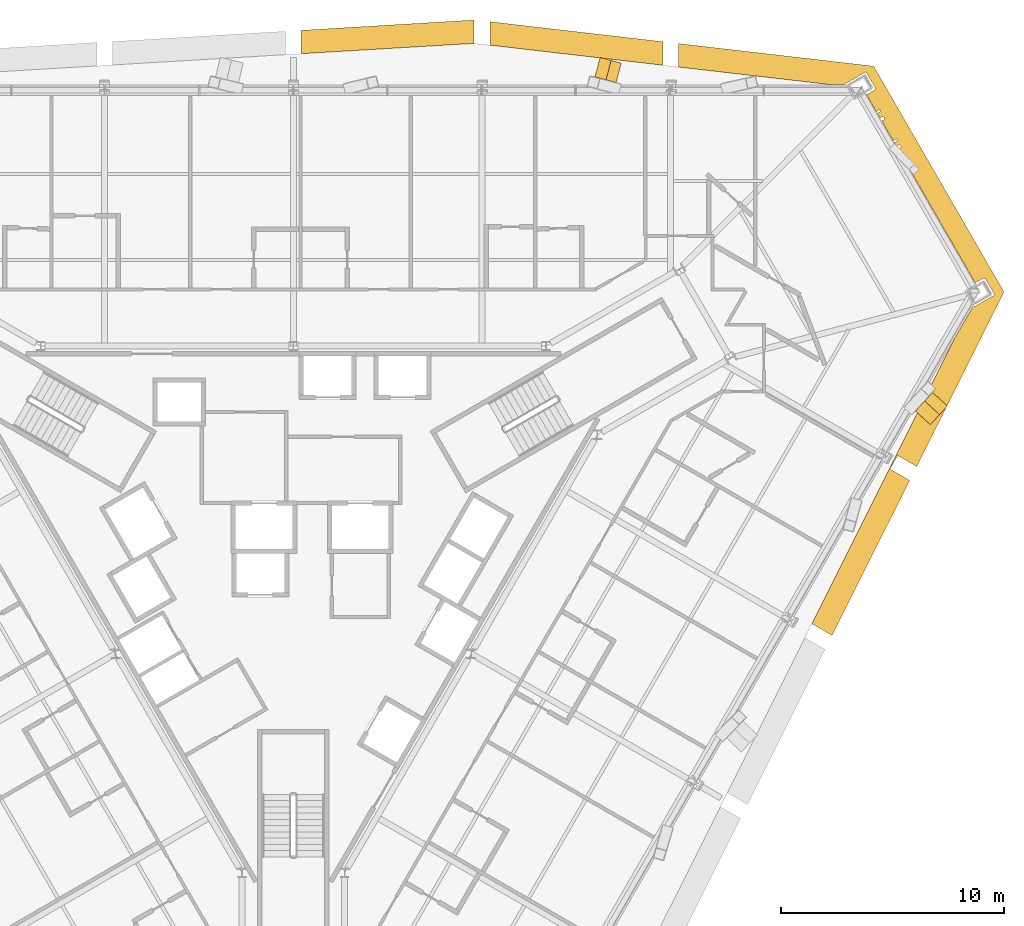
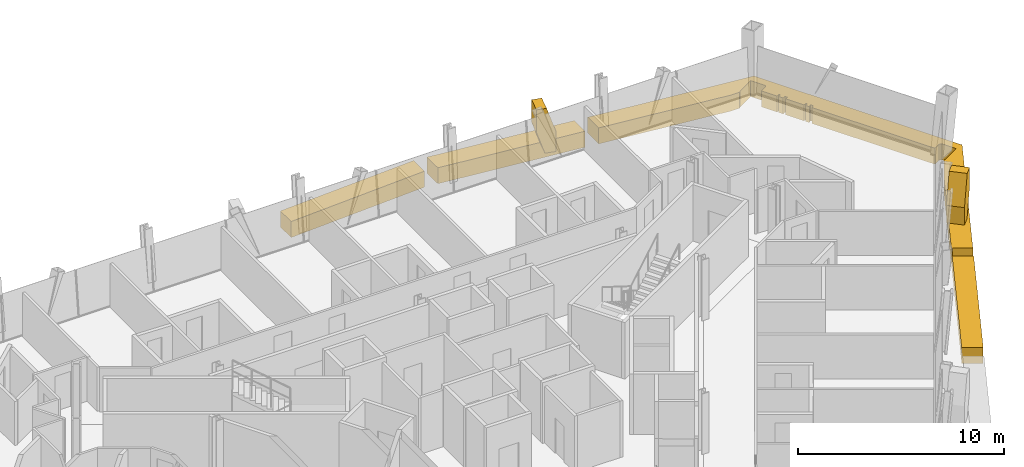
# One storey, part 15 of 15: 5 coverings.
"""IFC4 building model written with IfcOpenShell, lengths in metres."""

from ifc_helpers import new_model, si_unit, direction, frame, origin, place, context, subcontext, project, spatial, polyline, outline, extrude, material, layer, layer_set, type_object, element, save


model = new_model("IFC4")

# Units and contexts
model_context = context("Model", 3, precision=1e-05, world=origin(), true_north=direction((0.0, 1.0)))
body_context = subcontext(model_context, "Body", "Model", "MODEL_VIEW")
ifc_project = project(units=[si_unit("LENGTHUNIT", "METRE"), si_unit("AREAUNIT", "SQUARE_METRE"), si_unit("VOLUMEUNIT", "CUBIC_METRE"), si_unit("PLANEANGLEUNIT", "RADIAN"), si_unit("MASSUNIT", "GRAM", prefix="KILO")], contexts=[model_context])

# Site, building, storey
site_placement = place(None, origin())
site = spatial("IfcSite", under=ifc_project, at=site_placement, CompositionType="ELEMENT")
building_placement = place(site_placement, origin())
building = spatial("IfcBuilding", under=site, at=building_placement, Name="Verrane Prism Tower", CompositionType="ELEMENT")
storey_placement = place(building_placement, frame((0.0, 0.0, 44.0)))
storey = spatial("IfcBuildingStorey", under=building, at=storey_placement, Name="L08", CompositionType="ELEMENT", Elevation=44.0)

# Coverings
ifc_material_1 = material(Name="Warm limestone cladding", Category="masonry")
ifc_layer_1 = layer(ifc_material_1, 0.89990234375)
ifc_layer_set_1 = layer_set([ifc_layer_1], Name="Stone brace fin 900")
covering_type_1 = type_object("IfcCoveringType", Name="Stone brace fin 900", PredefinedType="CLADDING", material=ifc_layer_set_1)
covering_1_placement = place(storey_placement, frame((14.58837890625, 21.450927734375, 0.0), z_axis=(0.0, 0.0, 1.0), x_axis=(-0.967158326969, 0.254174685157, 0.0)))
element("IfcCovering", 1, at=covering_1_placement, inside=storey, type_object=covering_type_1, Name="Stone brace fin N2 L08", PredefinedType="CLADDING", context=body_context, shape_type="SweptSolid", body=[
    extrude(outline(polyline([(0.980712890625, 2.64990234375), (0.4697265625, 2.64990234375), (0.0, 1.209228515625), (0.0, 0.0), (0.552490234375, 0.0), (0.980712890625, 1.313720703125), (0.980712890625, 2.64990234375)])), frame((0.0, 0.449951171875, 0.0), z_axis=(0.0, -1.0, 0.0), x_axis=(1.0, 0.0, 0.0)), (0.0, 0.0, 1.0), 0.89990234375),
])
covering_2_placement = place(storey_placement, frame((28.228515625, 5.979248046875, 0.0), z_axis=(0.0, 0.0, 1.0), x_axis=(0.676495717737, 0.736446565532, 0.0)))
element("IfcCovering", 2, at=covering_2_placement, inside=storey, type_object=covering_type_1, Name="Stone brace fin SE6 L08", PredefinedType="CLADDING", context=body_context, shape_type="SweptSolid", body=[
    extrude(outline(polyline([(1.132080078125, 2.64990234375), (0.60791015625, 2.64990234375), (0.0, 1.034912109375), (0.0, 0.0), (0.572021484375, 0.0), (1.132080078125, 1.488037109375), (1.132080078125, 2.64990234375)])), frame((0.0, 0.449951171875, 0.0), z_axis=(0.0, -1.0, 0.0), x_axis=(1.0, 0.0, 0.0)), (0.0, 0.0, 1.0), 0.89990234375),
])
ifc_material_2 = material(Name="Warm limestone cladding", Category="masonry")
ifc_layer_2 = layer(ifc_material_2, 0.449951171875)
ifc_layer_set_2 = layer_set([ifc_layer_2], Name="Stone spandrel band 450")
covering_type_2 = type_object("IfcCoveringType", Name="Stone spandrel band 450", PredefinedType="CLADDING", material=ifc_layer_set_2)
covering_3_placement = place(storey_placement, frame((0.0, 0.0, -0.949951171875)))
element("IfcCovering", 3, at=covering_3_placement, inside=storey, type_object=covering_type_2, Name="Stone spandrel band L08 part 2", PredefinedType="CLADDING", context=body_context, shape_type="SweptSolid", body=[
    extrude(outline(polyline([(17.2666015625, 22.76318359375), (17.2666015625, 21.709716796875), (24.22412109375, 20.9033203125), (24.72705078125, 20.9033203125), (24.779296875, 20.97265625), (25.676513671875, 21.49072265625), (26.101318359375, 20.7548828125), (26.026123046875, 20.654541015625), (25.703125, 20.468017578125), (26.1396484375, 19.7119140625), (26.280517578125, 19.793212890625), (26.32421875, 19.71728515625), (26.183349609375, 19.635986328125), (26.308837890625, 19.418701171875), (26.44970703125, 19.5), (26.522216796875, 19.374267578125), (26.381591796875, 19.29296875), (26.896728515625, 18.400390625), (27.03759765625, 18.481689453125), (27.081298828125, 18.406005859375), (26.9404296875, 18.32470703125), (27.04833984375, 18.137939453125), (27.162841796875, 18.24755859375), (27.2646484375, 18.14111328125), (27.1240234375, 18.006591796875), (30.574951171875, 12.029541015625), (30.898193359375, 12.216064453125), (31.0234375, 12.228515625), (31.4482421875, 11.492919921875), (30.550537109375, 10.974853515625), (30.46875, 10.966552734375), (29.673583984375, 9.58935546875), (23.248046875, -3.25146484375), (24.156005859375, -3.775634765625), (27.6337890625, 3.1748046875), (26.751220703125, 3.6845703125), (27.10107421875, 4.290771484375), (27.94775390625, 3.802001953125), (31.862548828125, 11.62548828125), (26.017822265625, 21.748779296875), (17.2666015625, 22.76318359375)])), origin(), (0.0, 0.0, 1.0), 0.949951171875),
])
covering_4_placement = place(storey_placement, frame((0.0, 0.0, -0.949951171875)))
element("IfcCovering", 4, at=covering_4_placement, inside=storey, type_object=covering_type_2, Name="Stone spandrel band L08 part 6", PredefinedType="CLADDING", context=body_context, shape_type="SweptSolid", body=[
    extrude(outline(polyline([(8.80810546875, 22.690185546875), (16.56640625, 21.791015625), (16.56640625, 22.844482421875), (8.80810546875, 23.74365234375), (8.80810546875, 22.690185546875)])), origin(), (0.0, 0.0, 1.0), 0.949951171875),
])
covering_5_placement = place(storey_placement, frame((0.0, 0.0, -0.949951171875)))
element("IfcCovering", 5, at=covering_5_placement, inside=storey, type_object=covering_type_2, Name="Stone spandrel band L08 part 11", PredefinedType="CLADDING", context=body_context, shape_type="SweptSolid", body=[
    extrude(outline(polyline([(0.35009765625, 22.30615234375), (8.108154296875, 22.769287109375), (8.108154296875, 23.817626953125), (0.35009765625, 23.354248046875), (0.35009765625, 22.30615234375)])), origin(), (0.0, 0.0, 1.0), 0.949951171875),
])

save(model, "model.ifc")
